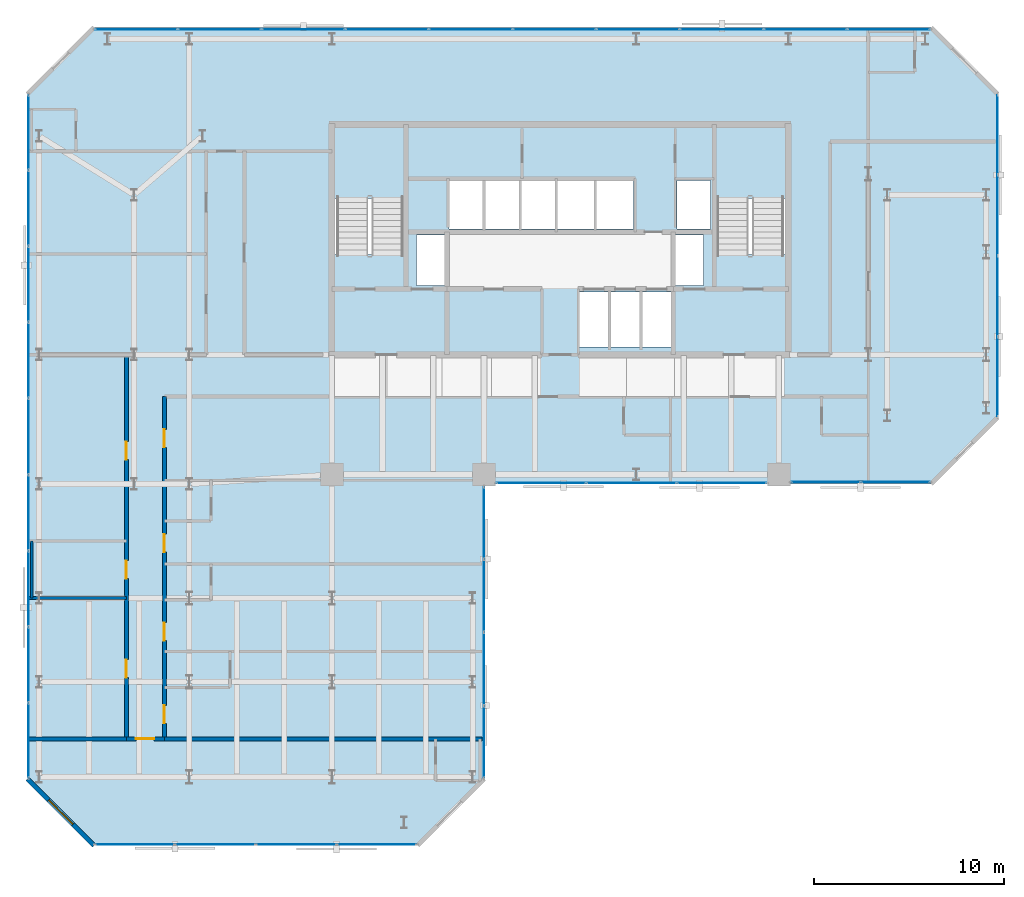
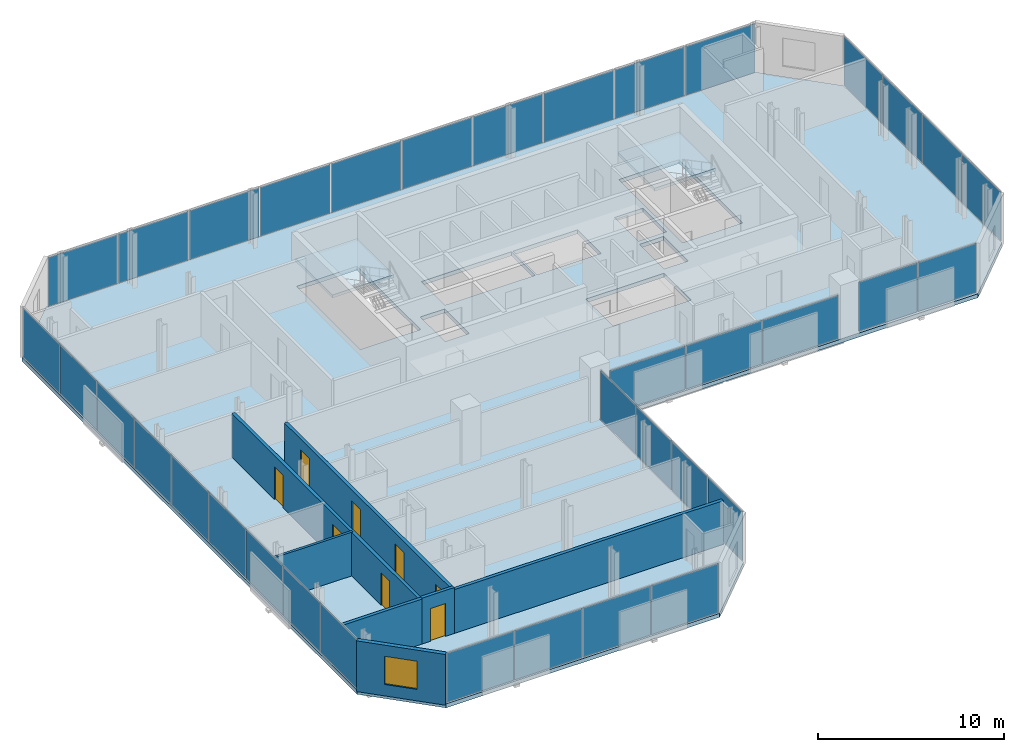
# One storey, part 27 of 32: 36 plates, 8 doors, 8 walls, 3 slabs, 1 window, 9 openings, 9 elements without a shape of their own.
"""IFC4 building model written with IfcOpenShell, lengths in metres."""

from ifc_helpers import new_model, si_unit, direction, frame, frame_2d, origin, origin_2d, place, context, subcontext, project, spatial, polyline, rectangle, outline, extrude, material, layer, layer_set, type_object, element, fill, aggregate, save


model = new_model("IFC4")

# Units and contexts
model_context = context("Model", 3, precision=1e-05, world=origin(), true_north=direction((0.0, 1.0)))
body_context = subcontext(model_context, "Body", "Model", "MODEL_VIEW")
ifc_project = project(units=[si_unit("LENGTHUNIT", "METRE"), si_unit("AREAUNIT", "SQUARE_METRE"), si_unit("VOLUMEUNIT", "CUBIC_METRE"), si_unit("PLANEANGLEUNIT", "RADIAN"), si_unit("MASSUNIT", "GRAM", prefix="KILO")], contexts=[model_context])

# Site, building, storey
site_placement = place(None, origin())
site = spatial("IfcSite", under=ifc_project, at=site_placement, CompositionType="ELEMENT")
building_placement = place(site_placement, origin())
building = spatial("IfcBuilding", under=site, at=building_placement, Name="Catumbela Crestline Tower", CompositionType="ELEMENT")
storey_placement = place(building_placement, frame((0.0, 0.0, 129.6)))
storey = spatial("IfcBuildingStorey", under=building, at=storey_placement, Name="L33", CompositionType="ELEMENT", Elevation=129.6)

# Curtain wall, plates
ifc_material_1 = material(Name="Aluminium alloy AW-6060-T66", Category="aluminium")
ifc_layer_1 = layer(ifc_material_1, 0.18, Name="Aluminium alloy AW-6060-T66")
ifc_layer_set_1 = layer_set([ifc_layer_1], Name="Aluminium alloy AW-6060-T66")
curtain_wall_type = type_object("IfcCurtainWallType", Name="CWU-Z2", PredefinedType="USERDEFINED", material=ifc_layer_set_1)
curtain_wall_1_placement = place(storey_placement, origin())
curtain_wall_1 = element("IfcCurtainWall", 1, at=curtain_wall_1_placement, inside=storey, type_object=curtain_wall_type, Name="L33 Unitised Curtain Wall CW-L33-E0S1", ObjectType="UNITISED", PredefinedType="USERDEFINED")
ifc_material_2 = material(Name="Low-E laminated solar-control double glazing", Category="glass")
ifc_layer_2 = layer(ifc_material_2, 0.036, Name="Low-E laminated solar-control double glazing")
ifc_layer_set_2 = layer_set([ifc_layer_2], Name="Low-E laminated solar-control double glazing")
plate_type = type_object("IfcPlateType", Name="PNL-GLZ-Z2", PredefinedType="CURTAIN_PANEL", material=ifc_layer_set_2)
plate_1_placement = place(storey_placement, frame((5.6412, 5.05, 0.06), z_axis=(0.0, 0.0, 1.0), x_axis=(1.0, 0.0, 0.0)))
plate_1 = element("IfcPlate", 2, at=plate_1_placement, type_object=plate_type, Name="CWU-Z2 panel 1.1", PredefinedType="CURTAIN_PANEL", context=body_context, shape_type="SweptSolid", body=[
    extrude(rectangle(XDim=4.1525, YDim=0.034, at=origin_2d()), origin(), (0.0, 0.0, 1.0), 3.21),
])
plate_2_placement = place(storey_placement, frame((9.875, 5.05, 0.06), z_axis=(0.0, 0.0, 1.0), x_axis=(1.0, 0.0, 0.0)))
plate_2 = element("IfcPlate", 3, at=plate_2_placement, type_object=plate_type, Name="CWU-Z2 panel 2.1", PredefinedType="CURTAIN_PANEL", context=body_context, shape_type="SweptSolid", body=[
    extrude(rectangle(XDim=4.185, YDim=0.034, at=origin_2d()), origin(), (0.0, 0.0, 1.0), 3.21),
])
plate_3_placement = place(storey_placement, frame((14.125, 5.05, 0.06), z_axis=(0.0, 0.0, 1.0), x_axis=(1.0, 0.0, 0.0)))
plate_3 = element("IfcPlate", 4, at=plate_3_placement, type_object=plate_type, Name="CWU-Z2 panel 3.1", PredefinedType="CURTAIN_PANEL", context=body_context, shape_type="SweptSolid", body=[
    extrude(rectangle(XDim=4.185, YDim=0.034, at=origin_2d()), origin(), (0.0, 0.0, 1.0), 3.21),
])
plate_4_placement = place(storey_placement, frame((18.3588, 5.05, 0.06), z_axis=(0.0, 0.0, 1.0), x_axis=(1.0, 0.0, 0.0)))
plate_4 = element("IfcPlate", 5, at=plate_4_placement, type_object=plate_type, Name="CWU-Z2 panel 4.1", PredefinedType="CURTAIN_PANEL", context=body_context, shape_type="SweptSolid", body=[
    extrude(rectangle(XDim=4.1525, YDim=0.034, at=origin_2d()), origin(), (0.0, 0.0, 1.0), 3.21),
])
aggregate(curtain_wall_1, [plate_1, plate_2, plate_3, plate_4])

curtain_wall_2_placement = place(storey_placement, origin())
curtain_wall_2 = element("IfcCurtainWall", 6, at=curtain_wall_2_placement, inside=storey, type_object=curtain_wall_type, Name="L33 Unitised Curtain Wall CW-L33-E2S1", ObjectType="UNITISED", PredefinedType="USERDEFINED")
plate_5_placement = place(storey_placement, frame((24.0, 10.4412, 0.06), z_axis=(0.0, 0.0, 1.0), x_axis=(0.0, 1.0, 0.0)))
plate_5 = element("IfcPlate", 7, at=plate_5_placement, type_object=plate_type, Name="CWU-Z2 panel 1.1", PredefinedType="CURTAIN_PANEL", context=body_context, shape_type="SweptSolid", body=[
    extrude(rectangle(XDim=3.7525, YDim=0.034, at=origin_2d()), origin(), (0.0, 0.0, 1.0), 3.21),
])
plate_6_placement = place(storey_placement, frame((24.0, 14.275, 0.06), z_axis=(0.0, 0.0, 1.0), x_axis=(0.0, 1.0, 0.0)))
plate_6 = element("IfcPlate", 8, at=plate_6_placement, type_object=plate_type, Name="CWU-Z2 panel 2.1", PredefinedType="CURTAIN_PANEL", context=body_context, shape_type="SweptSolid", body=[
    extrude(rectangle(XDim=3.785, YDim=0.034, at=origin_2d()), origin(), (0.0, 0.0, 1.0), 3.21),
])
plate_7_placement = place(storey_placement, frame((24.0, 18.125, 0.06), z_axis=(0.0, 0.0, 1.0), x_axis=(0.0, 1.0, 0.0)))
plate_7 = element("IfcPlate", 9, at=plate_7_placement, type_object=plate_type, Name="CWU-Z2 panel 3.1", PredefinedType="CURTAIN_PANEL", context=body_context, shape_type="SweptSolid", body=[
    extrude(rectangle(XDim=3.785, YDim=0.034, at=origin_2d()), origin(), (0.0, 0.0, 1.0), 3.21),
])
plate_8_placement = place(storey_placement, frame((24.0, 21.9587, 0.06), z_axis=(0.0, 0.0, 1.0), x_axis=(0.0, 1.0, 0.0)))
plate_8 = element("IfcPlate", 10, at=plate_8_placement, type_object=plate_type, Name="CWU-Z2 panel 4.1", PredefinedType="CURTAIN_PANEL", context=body_context, shape_type="SweptSolid", body=[
    extrude(rectangle(XDim=3.7525, YDim=0.034, at=origin_2d()), origin(), (0.0, 0.0, 1.0), 3.21),
])
aggregate(curtain_wall_2, [plate_5, plate_6, plate_7, plate_8])

curtain_wall_3_placement = place(storey_placement, origin())
curtain_wall_3 = element("IfcCurtainWall", 11, at=curtain_wall_3_placement, inside=storey, type_object=curtain_wall_type, Name="L33 Unitised Curtain Wall CW-L33-E3S1", ObjectType="UNITISED", PredefinedType="USERDEFINED")
plate_9_placement = place(storey_placement, frame((26.9996, 24.05, 0.06), z_axis=(0.0, 0.0, 1.0), x_axis=(1.0, 0.0, 0.0)))
plate_9 = element("IfcPlate", 12, at=plate_9_placement, type_object=plate_type, Name="CWU-Z2 panel 1.1", PredefinedType="CURTAIN_PANEL", context=body_context, shape_type="SweptSolid", body=[
    extrude(rectangle(XDim=4.6692, YDim=0.034, at=origin_2d()), origin(), (0.0, 0.0, 1.0), 2.84),
])
plate_10_placement = place(storey_placement, frame((31.75, 24.05, 0.06), z_axis=(0.0, 0.0, 1.0), x_axis=(1.0, 0.0, 0.0)))
plate_10 = element("IfcPlate", 13, at=plate_10_placement, type_object=plate_type, Name="CWU-Z2 panel 2.1", PredefinedType="CURTAIN_PANEL", context=body_context, shape_type="SweptSolid", body=[
    extrude(rectangle(XDim=4.7017, YDim=0.034, at=origin_2d()), origin(), (0.0, 0.0, 1.0), 2.84),
])
plate_11_placement = place(storey_placement, frame((36.5004, 24.05, 0.06), z_axis=(0.0, 0.0, 1.0), x_axis=(1.0, 0.0, 0.0)))
plate_11 = element("IfcPlate", 14, at=plate_11_placement, type_object=plate_type, Name="CWU-Z2 panel 3.1", PredefinedType="CURTAIN_PANEL", context=body_context, shape_type="SweptSolid", body=[
    extrude(rectangle(XDim=4.6692, YDim=0.034, at=origin_2d()), origin(), (0.0, 0.0, 1.0), 2.84),
])
aggregate(curtain_wall_3, [plate_9, plate_10, plate_11])

curtain_wall_4_placement = place(storey_placement, origin())
curtain_wall_4 = element("IfcCurtainWall", 15, at=curtain_wall_4_placement, inside=storey, type_object=curtain_wall_type, Name="L33 Unitised Curtain Wall CW-L33-E3S2", ObjectType="UNITISED", PredefinedType="USERDEFINED")
plate_12_placement = place(storey_placement, frame((41.9662, 24.1, 0.06), z_axis=(0.0, 0.0, 1.0), x_axis=(1.0, 0.0, 0.0)))
plate_12 = element("IfcPlate", 16, at=plate_12_placement, type_object=plate_type, Name="CWU-Z2 panel 1.1", PredefinedType="CURTAIN_PANEL", context=body_context, shape_type="SweptSolid", body=[
    extrude(rectangle(XDim=3.6025, YDim=0.034, at=origin_2d()), origin(), (0.0, 0.0, 1.0), 3.21),
])
plate_13_placement = place(storey_placement, frame((45.6338, 24.1, 0.06), z_axis=(0.0, 0.0, 1.0), x_axis=(1.0, 0.0, 0.0)))
plate_13 = element("IfcPlate", 17, at=plate_13_placement, type_object=plate_type, Name="CWU-Z2 panel 2.1", PredefinedType="CURTAIN_PANEL", context=body_context, shape_type="SweptSolid", body=[
    extrude(rectangle(XDim=3.6025, YDim=0.034, at=origin_2d()), origin(), (0.0, 0.0, 1.0), 3.21),
])
aggregate(curtain_wall_4, [plate_12, plate_13])

curtain_wall_5_placement = place(storey_placement, origin())
curtain_wall_5 = element("IfcCurtainWall", 18, at=curtain_wall_5_placement, inside=storey, type_object=curtain_wall_type, Name="L33 Unitised Curtain Wall CW-L33-E5S1", ObjectType="UNITISED", PredefinedType="USERDEFINED")
plate_14_placement = place(storey_placement, frame((51.0, 29.6412, 0.06), z_axis=(0.0, 0.0, 1.0), x_axis=(0.0, 1.0, 0.0)))
plate_14 = element("IfcPlate", 19, at=plate_14_placement, type_object=plate_type, Name="CWU-Z2 panel 1.1", PredefinedType="CURTAIN_PANEL", context=body_context, shape_type="SweptSolid", body=[
    extrude(rectangle(XDim=4.1525, YDim=0.034, at=origin_2d()), origin(), (0.0, 0.0, 1.0), 3.21),
])
plate_15_placement = place(storey_placement, frame((51.0, 33.875, 0.06), z_axis=(0.0, 0.0, 1.0), x_axis=(0.0, 1.0, 0.0)))
plate_15 = element("IfcPlate", 20, at=plate_15_placement, type_object=plate_type, Name="CWU-Z2 panel 2.1", PredefinedType="CURTAIN_PANEL", context=body_context, shape_type="SweptSolid", body=[
    extrude(rectangle(XDim=4.185, YDim=0.034, at=origin_2d()), origin(), (0.0, 0.0, 1.0), 3.21),
])
plate_16_placement = place(storey_placement, frame((51.0, 38.125, 0.06), z_axis=(0.0, 0.0, 1.0), x_axis=(0.0, 1.0, 0.0)))
plate_16 = element("IfcPlate", 21, at=plate_16_placement, type_object=plate_type, Name="CWU-Z2 panel 3.1", PredefinedType="CURTAIN_PANEL", context=body_context, shape_type="SweptSolid", body=[
    extrude(rectangle(XDim=4.185, YDim=0.034, at=origin_2d()), origin(), (0.0, 0.0, 1.0), 3.21),
])
plate_17_placement = place(storey_placement, frame((51.0, 42.3588, 0.06), z_axis=(0.0, 0.0, 1.0), x_axis=(0.0, 1.0, 0.0)))
plate_17 = element("IfcPlate", 22, at=plate_17_placement, type_object=plate_type, Name="CWU-Z2 panel 4.1", PredefinedType="CURTAIN_PANEL", context=body_context, shape_type="SweptSolid", body=[
    extrude(rectangle(XDim=4.1525, YDim=0.034, at=origin_2d()), origin(), (0.0, 0.0, 1.0), 3.21),
])
aggregate(curtain_wall_5, [plate_14, plate_15, plate_16, plate_17])

curtain_wall_6_placement = place(storey_placement, origin())
curtain_wall_6 = element("IfcCurtainWall", 23, at=curtain_wall_6_placement, inside=storey, type_object=curtain_wall_type, Name="L33 Unitised Curtain Wall CW-L33-E7S1", ObjectType="UNITISED", PredefinedType="USERDEFINED")
plate_18_placement = place(storey_placement, frame((45.2838, 47.9, 0.06), z_axis=(0.0, 0.0, 1.0), x_axis=(-1.0, 0.0, 0.0)))
plate_18 = element("IfcPlate", 24, at=plate_18_placement, type_object=plate_type, Name="CWU-Z2 panel 1.1", PredefinedType="CURTAIN_PANEL", context=body_context, shape_type="SweptSolid", body=[
    extrude(rectangle(XDim=4.3025, YDim=0.034, at=origin_2d()), origin(), (0.0, 0.0, 1.0), 3.21),
])
plate_19_placement = place(storey_placement, frame((40.9, 47.9, 0.06), z_axis=(0.0, 0.0, 1.0), x_axis=(-1.0, 0.0, 0.0)))
plate_19 = element("IfcPlate", 25, at=plate_19_placement, type_object=plate_type, Name="CWU-Z2 panel 2.1", PredefinedType="CURTAIN_PANEL", context=body_context, shape_type="SweptSolid", body=[
    extrude(rectangle(XDim=4.335, YDim=0.034, at=origin_2d()), origin(), (0.0, 0.0, 1.0), 3.21),
])
plate_20_placement = place(storey_placement, frame((36.5, 47.9, 0.06), z_axis=(0.0, 0.0, 1.0), x_axis=(-1.0, 0.0, 0.0)))
plate_20 = element("IfcPlate", 26, at=plate_20_placement, type_object=plate_type, Name="CWU-Z2 panel 3.1", PredefinedType="CURTAIN_PANEL", context=body_context, shape_type="SweptSolid", body=[
    extrude(rectangle(XDim=4.335, YDim=0.034, at=origin_2d()), origin(), (0.0, 0.0, 1.0), 3.21),
])
plate_21_placement = place(storey_placement, frame((32.1, 47.9, 0.06), z_axis=(0.0, 0.0, 1.0), x_axis=(-1.0, 0.0, 0.0)))
plate_21 = element("IfcPlate", 27, at=plate_21_placement, type_object=plate_type, Name="CWU-Z2 panel 4.1", PredefinedType="CURTAIN_PANEL", context=body_context, shape_type="SweptSolid", body=[
    extrude(rectangle(XDim=4.335, YDim=0.034, at=origin_2d()), origin(), (0.0, 0.0, 1.0), 3.21),
])
plate_22_placement = place(storey_placement, frame((27.7, 47.9, 0.06), z_axis=(0.0, 0.0, 1.0), x_axis=(-1.0, 0.0, 0.0)))
plate_22 = element("IfcPlate", 28, at=plate_22_placement, type_object=plate_type, Name="CWU-Z2 panel 5.1", PredefinedType="CURTAIN_PANEL", context=body_context, shape_type="SweptSolid", body=[
    extrude(rectangle(XDim=4.335, YDim=0.034, at=origin_2d()), origin(), (0.0, 0.0, 1.0), 3.21),
])
plate_23_placement = place(storey_placement, frame((23.3, 47.9, 0.06), z_axis=(0.0, 0.0, 1.0), x_axis=(-1.0, 0.0, 0.0)))
plate_23 = element("IfcPlate", 29, at=plate_23_placement, type_object=plate_type, Name="CWU-Z2 panel 6.1", PredefinedType="CURTAIN_PANEL", context=body_context, shape_type="SweptSolid", body=[
    extrude(rectangle(XDim=4.335, YDim=0.034, at=origin_2d()), origin(), (0.0, 0.0, 1.0), 3.21),
])
plate_24_placement = place(storey_placement, frame((18.9, 47.9, 0.06), z_axis=(0.0, 0.0, 1.0), x_axis=(-1.0, 0.0, 0.0)))
plate_24 = element("IfcPlate", 30, at=plate_24_placement, type_object=plate_type, Name="CWU-Z2 panel 7.1", PredefinedType="CURTAIN_PANEL", context=body_context, shape_type="SweptSolid", body=[
    extrude(rectangle(XDim=4.335, YDim=0.034, at=origin_2d()), origin(), (0.0, 0.0, 1.0), 3.21),
])
plate_25_placement = place(storey_placement, frame((14.5, 47.9, 0.06), z_axis=(0.0, 0.0, 1.0), x_axis=(-1.0, 0.0, 0.0)))
plate_25 = element("IfcPlate", 31, at=plate_25_placement, type_object=plate_type, Name="CWU-Z2 panel 8.1", PredefinedType="CURTAIN_PANEL", context=body_context, shape_type="SweptSolid", body=[
    extrude(rectangle(XDim=4.335, YDim=0.034, at=origin_2d()), origin(), (0.0, 0.0, 1.0), 3.21),
])
plate_26_placement = place(storey_placement, frame((10.1, 47.9, 0.06), z_axis=(0.0, 0.0, 1.0), x_axis=(-1.0, 0.0, 0.0)))
plate_26 = element("IfcPlate", 32, at=plate_26_placement, type_object=plate_type, Name="CWU-Z2 panel 9.1", PredefinedType="CURTAIN_PANEL", context=body_context, shape_type="SweptSolid", body=[
    extrude(rectangle(XDim=4.335, YDim=0.034, at=origin_2d()), origin(), (0.0, 0.0, 1.0), 3.21),
])
plate_27_placement = place(storey_placement, frame((5.7162, 47.9, 0.06), z_axis=(0.0, 0.0, 1.0), x_axis=(-1.0, 0.0, 0.0)))
plate_27 = element("IfcPlate", 33, at=plate_27_placement, type_object=plate_type, Name="CWU-Z2 panel 10.1", PredefinedType="CURTAIN_PANEL", context=body_context, shape_type="SweptSolid", body=[
    extrude(rectangle(XDim=4.3025, YDim=0.034, at=origin_2d()), origin(), (0.0, 0.0, 1.0), 3.21),
])
aggregate(curtain_wall_6, [plate_18, plate_19, plate_20, plate_21, plate_22, plate_23, plate_24, plate_25, plate_26, plate_27])

curtain_wall_7_placement = place(storey_placement, origin())
curtain_wall_7 = element("IfcCurtainWall", 34, at=curtain_wall_7_placement, inside=storey, type_object=curtain_wall_type, Name="L33 Unitised Curtain Wall CW-L33-E9S1", ObjectType="UNITISED", PredefinedType="USERDEFINED")
plate_28_placement = place(storey_placement, frame((0.05, 42.4838, 0.06), z_axis=(0.0, 0.0, 1.0), x_axis=(0.0, -1.0, 0.0)))
plate_28 = element("IfcPlate", 35, at=plate_28_placement, type_object=plate_type, Name="CWU-Z2 panel 1.1", PredefinedType="CURTAIN_PANEL", context=body_context, shape_type="SweptSolid", body=[
    extrude(rectangle(XDim=3.9025, YDim=0.034, at=origin_2d()), origin(), (0.0, 0.0, 1.0), 3.21),
])
plate_29_placement = place(storey_placement, frame((0.05, 38.5, 0.06), z_axis=(0.0, 0.0, 1.0), x_axis=(0.0, -1.0, 0.0)))
plate_29 = element("IfcPlate", 36, at=plate_29_placement, type_object=plate_type, Name="CWU-Z2 panel 2.1", PredefinedType="CURTAIN_PANEL", context=body_context, shape_type="SweptSolid", body=[
    extrude(rectangle(XDim=3.935, YDim=0.034, at=origin_2d()), origin(), (0.0, 0.0, 1.0), 3.21),
])
plate_30_placement = place(storey_placement, frame((0.05, 34.5, 0.06), z_axis=(0.0, 0.0, 1.0), x_axis=(0.0, -1.0, 0.0)))
plate_30 = element("IfcPlate", 37, at=plate_30_placement, type_object=plate_type, Name="CWU-Z2 panel 3.1", PredefinedType="CURTAIN_PANEL", context=body_context, shape_type="SweptSolid", body=[
    extrude(rectangle(XDim=3.935, YDim=0.034, at=origin_2d()), origin(), (0.0, 0.0, 1.0), 3.21),
])
plate_31_placement = place(storey_placement, frame((0.05, 30.5, 0.06), z_axis=(0.0, 0.0, 1.0), x_axis=(0.0, -1.0, 0.0)))
plate_31 = element("IfcPlate", 38, at=plate_31_placement, type_object=plate_type, Name="CWU-Z2 panel 4.1", PredefinedType="CURTAIN_PANEL", context=body_context, shape_type="SweptSolid", body=[
    extrude(rectangle(XDim=3.935, YDim=0.034, at=origin_2d()), origin(), (0.0, 0.0, 1.0), 3.21),
])
plate_32_placement = place(storey_placement, frame((0.05, 26.5, 0.06), z_axis=(0.0, 0.0, 1.0), x_axis=(0.0, -1.0, 0.0)))
plate_32 = element("IfcPlate", 39, at=plate_32_placement, type_object=plate_type, Name="CWU-Z2 panel 5.1", PredefinedType="CURTAIN_PANEL", context=body_context, shape_type="SweptSolid", body=[
    extrude(rectangle(XDim=3.935, YDim=0.034, at=origin_2d()), origin(), (0.0, 0.0, 1.0), 3.21),
])
plate_33_placement = place(storey_placement, frame((0.05, 22.5, 0.06), z_axis=(0.0, 0.0, 1.0), x_axis=(0.0, -1.0, 0.0)))
plate_33 = element("IfcPlate", 40, at=plate_33_placement, type_object=plate_type, Name="CWU-Z2 panel 6.1", PredefinedType="CURTAIN_PANEL", context=body_context, shape_type="SweptSolid", body=[
    extrude(rectangle(XDim=3.935, YDim=0.034, at=origin_2d()), origin(), (0.0, 0.0, 1.0), 3.21),
])
plate_34_placement = place(storey_placement, frame((0.05, 18.5, 0.06), z_axis=(0.0, 0.0, 1.0), x_axis=(0.0, -1.0, 0.0)))
plate_34 = element("IfcPlate", 41, at=plate_34_placement, type_object=plate_type, Name="CWU-Z2 panel 7.1", PredefinedType="CURTAIN_PANEL", context=body_context, shape_type="SweptSolid", body=[
    extrude(rectangle(XDim=3.935, YDim=0.034, at=origin_2d()), origin(), (0.0, 0.0, 1.0), 3.21),
])
plate_35_placement = place(storey_placement, frame((0.05, 14.5, 0.06), z_axis=(0.0, 0.0, 1.0), x_axis=(0.0, -1.0, 0.0)))
plate_35 = element("IfcPlate", 42, at=plate_35_placement, type_object=plate_type, Name="CWU-Z2 panel 8.1", PredefinedType="CURTAIN_PANEL", context=body_context, shape_type="SweptSolid", body=[
    extrude(rectangle(XDim=3.935, YDim=0.034, at=origin_2d()), origin(), (0.0, 0.0, 1.0), 3.21),
])
plate_36_placement = place(storey_placement, frame((0.05, 10.5162, 0.06), z_axis=(0.0, 0.0, 1.0), x_axis=(0.0, -1.0, 0.0)))
plate_36 = element("IfcPlate", 43, at=plate_36_placement, type_object=plate_type, Name="CWU-Z2 panel 9.1", PredefinedType="CURTAIN_PANEL", context=body_context, shape_type="SweptSolid", body=[
    extrude(rectangle(XDim=3.9025, YDim=0.034, at=origin_2d()), origin(), (0.0, 0.0, 1.0), 3.21),
])
aggregate(curtain_wall_7, [plate_28, plate_29, plate_30, plate_31, plate_32, plate_33, plate_34, plate_35, plate_36])

# Stair, slab
ifc_material_3 = material(Name="Concrete C45/55", Category="concrete")
stair_type = type_object("IfcStairType", Name="ST-DLG", PredefinedType="HALF_TURN_STAIR", material=ifc_material_3)
stair_1_placement = place(storey_placement, origin())
stair_1 = element("IfcStair", 44, at=stair_1_placement, inside=storey, type_object=stair_type, Name="L33 West Core Pressurised Exit Stair ST-01", PredefinedType="HALF_TURN_STAIR")
ifc_layer_3 = layer(ifc_material_3, 0.2, Name="Concrete C45/55")
ifc_layer_set_3 = layer_set([ifc_layer_3], Name="Concrete C45/55")
slab_type_1 = type_object("IfcSlabType", Name="SL-LND", PredefinedType="LANDING", material=ifc_layer_set_3)
slab_1_placement = place(storey_placement, frame((0.0, 0.0, 1.6)))
slab_1 = element("IfcSlab", 45, at=slab_1_placement, type_object=slab_type_1, Name="ST-01 landing 1", PredefinedType="LANDING", context=body_context, shape_type="SweptSolid", body=[
    extrude(outline(polyline([(19.91, 39.02), (19.91, 42.96), (16.09, 42.96), (16.09, 39.02), (19.91, 39.02)])), origin(), (0.0, 0.0, 1.0), 0.2),
])
aggregate(stair_1, [slab_1])

stair_2_placement = place(storey_placement, origin())
stair_2 = element("IfcStair", 46, at=stair_2_placement, inside=storey, type_object=stair_type, Name="L33 East Core Pressurised Exit Stair ST-02", PredefinedType="HALF_TURN_STAIR")
slab_2_placement = place(storey_placement, frame((0.0, 0.0, 1.6)))
slab_2 = element("IfcSlab", 47, at=slab_2_placement, type_object=slab_type_1, Name="ST-02 landing 1", PredefinedType="LANDING", context=body_context, shape_type="SweptSolid", body=[
    extrude(outline(polyline([(39.91, 39.02), (39.91, 42.96), (36.09, 42.96), (36.09, 39.02), (39.91, 39.02)])), origin(), (0.0, 0.0, 1.0), 0.2),
])
aggregate(stair_2, [slab_2])

# Slab
ifc_layer_4 = layer(ifc_material_3, 0.26, Name="Concrete C45/55")
ifc_layer_set_4 = layer_set([ifc_layer_4], Name="Concrete C45/55")
slab_type_2 = type_object("IfcSlabType", Name="SL-260", PredefinedType="FLOOR", material=ifc_layer_set_4)
slab_3_placement = place(storey_placement, frame((0.0, 0.0, -0.26)))
element("IfcSlab", 48, at=slab_3_placement, inside=storey, type_object=slab_type_2, Name="L33 Structural Floor Slab", PredefinedType="FLOOR", context=body_context, shape_type="SweptSolid", body=[
    extrude(outline(polyline([(3.5, 5.0), (20.5, 5.0), (24.0, 8.5), (24.0, 24.0), (47.5, 24.0), (51.0, 27.5), (51.0, 44.5), (47.5, 48.0), (3.5, 48.0), (0.0, 44.5), (0.0, 8.5), (3.5, 5.0)]), holes=[polyline([(16.13, 36.08), (19.87, 36.08), (19.87, 42.92), (16.13, 42.92), (16.13, 36.08)]), polyline([(36.13, 36.08), (39.87, 36.08), (39.87, 42.92), (36.13, 42.92), (36.13, 36.08)]), polyline([(29.0, 31.2), (33.85, 31.2), (33.85, 34.1), (29.0, 34.1), (29.0, 31.2)]), polyline([(22.15, 37.4), (27.75, 37.4), (27.75, 39.95), (22.15, 39.95), (22.15, 37.4)]), polyline([(27.85, 37.4), (31.85, 37.4), (31.85, 39.95), (27.85, 39.95), (27.85, 37.4)]), polyline([(20.45, 34.45), (21.95, 34.45), (21.95, 37.1), (20.45, 37.1), (20.45, 34.45)]), polyline([(34.05, 34.45), (35.55, 34.45), (35.55, 37.1), (34.05, 37.1), (34.05, 34.45)]), polyline([(34.15, 37.4), (35.9, 37.4), (35.9, 39.95), (34.15, 39.95), (34.15, 37.4)])]), origin(), (0.0, 0.0, 1.0), 0.26),
])

# Wall, openings, doors
ifc_material_4 = material(Name="Acoustic gypsum and mineral-wool partition")
ifc_layer_5 = layer(ifc_material_4, 0.2, Name="Acoustic gypsum and mineral-wool partition")
ifc_layer_set_5 = layer_set([ifc_layer_5], Name="Acoustic gypsum and mineral-wool partition")
wall_type_1 = type_object("IfcWallType", Name="WC-200", PredefinedType="PARTITIONING", material=ifc_layer_set_5)
wall_1_placement = place(storey_placement, frame((5.2, 10.6, 0.0), z_axis=(0.0, 0.0, 1.0), x_axis=(0.0, 1.0, 0.0)))
wall_1 = element("IfcWall", 49, at=wall_1_placement, inside=storey, type_object=wall_type_1, Name="L33 Interior Partition PW-L33-STWC-ENT", PredefinedType="PARTITIONING", context=body_context, shape_type="SweptSolid", body=[
    extrude(rectangle(XDim=20.2, YDim=0.2, at=frame_2d((10.1, 0.0))), origin(), (0.0, 0.0, 1.0), 2.87),
])
opening_1_placement = place(wall_1_placement, frame((8.425, 0.0, 0.0)))
opening_1 = element("IfcOpeningElement", 50, at=opening_1_placement, cuts=wall_1, Name="Opening DF6-095", PredefinedType="OPENING", context=body_context, shape_type="SweptSolid", body=[
    extrude(rectangle(XDim=0.95, YDim=2.15, at=frame_2d((0.475, 1.075))), frame((0.0, 0.11, 0.0), z_axis=(0.0, -1.0, 0.0), x_axis=(1.0, 0.0, 0.0)), (0.0, 0.0, 1.0), 0.22),
])
opening_2_placement = place(wall_1_placement, frame((14.6795, 0.0, 0.0)))
opening_2 = element("IfcOpeningElement", 51, at=opening_2_placement, cuts=wall_1, Name="Opening DF6-095", PredefinedType="OPENING", context=body_context, shape_type="SweptSolid", body=[
    extrude(rectangle(XDim=0.95, YDim=2.15, at=frame_2d((0.475, 1.075))), frame((0.0, 0.11, 0.0), z_axis=(0.0, -1.0, 0.0), x_axis=(1.0, 0.0, 0.0)), (0.0, 0.0, 1.0), 0.22),
])
opening_3_placement = place(wall_1_placement, frame((3.225, 0.0, 0.0)))
opening_3 = element("IfcOpeningElement", 52, at=opening_3_placement, cuts=wall_1, Name="Opening DF6-095", PredefinedType="OPENING", context=body_context, shape_type="SweptSolid", body=[
    extrude(rectangle(XDim=0.95, YDim=2.15, at=frame_2d((0.475, 1.075))), frame((0.0, 0.11, 0.0), z_axis=(0.0, -1.0, 0.0), x_axis=(1.0, 0.0, 0.0)), (0.0, 0.0, 1.0), 0.22),
])
door_type = type_object("IfcDoorType", Name="DF6-095", OperationType="NOTDEFINED", PredefinedType="DOOR", material=ifc_material_1)
door_1_placement = place(opening_1_placement, origin())
door_1 = element("IfcDoor", 53, at=door_1_placement, inside=storey, type_object=door_type, Name="L33 Interior Door DR-L33-STWC-ENT", OperationType="SINGLE_SWING_RIGHT", OverallHeight=2.15, OverallWidth=0.95, PredefinedType="DOOR", context=body_context, shape_type="SweptSolid", body=[
    extrude(rectangle(XDim=0.95, YDim=2.15, at=frame_2d((0.475, 1.075))), frame((0.0, 0.025, 0.0), z_axis=(0.0, -1.0, 0.0), x_axis=(1.0, 0.0, 0.0)), (0.0, 0.0, 1.0), 0.05),
])
fill(opening_1, door_1)
door_2_placement = place(opening_2_placement, origin())
door_2 = element("IfcDoor", 54, at=door_2_placement, inside=storey, type_object=door_type, Name="L33 Interior Door DR-L33-HKP-ENT", OperationType="SINGLE_SWING_RIGHT", OverallHeight=2.15, OverallWidth=0.95, PredefinedType="DOOR", context=body_context, shape_type="SweptSolid", body=[
    extrude(rectangle(XDim=0.95, YDim=2.15, at=frame_2d((0.475, 1.075))), frame((0.0, 0.025, 0.0), z_axis=(0.0, -1.0, 0.0), x_axis=(1.0, 0.0, 0.0)), (0.0, 0.0, 1.0), 0.05),
])
fill(opening_2, door_2)
door_3_placement = place(opening_3_placement, origin())
door_3 = element("IfcDoor", 55, at=door_3_placement, inside=storey, type_object=door_type, Name="L33 Interior Door DR-L33-WEXT-ENT", OperationType="SINGLE_SWING_LEFT", OverallHeight=2.15, OverallWidth=0.95, PredefinedType="DOOR", context=body_context, shape_type="SweptSolid", body=[
    extrude(rectangle(XDim=0.95, YDim=2.15, at=frame_2d((0.475, 1.075))), frame((0.0, 0.025, 0.0), z_axis=(0.0, -1.0, 0.0), x_axis=(1.0, 0.0, 0.0)), (0.0, 0.0, 1.0), 0.05),
])
fill(opening_3, door_3)

# Wall, opening, door
wall_2_placement = place(storey_placement, frame((5.2, 10.6, 0.0), z_axis=(0.0, 0.0, 1.0), x_axis=(1.0, 0.0, 0.0)))
wall_2 = element("IfcWall", 56, at=wall_2_placement, inside=storey, type_object=wall_type_1, Name="L33 Interior Partition PW-L33-STIP-ENT", PredefinedType="PARTITIONING", context=body_context, shape_type="SweptSolid", body=[
    extrude(rectangle(XDim=2.0, YDim=0.2, at=frame_2d((1.0, 0.0))), origin(), (0.0, 0.0, 1.0), 3.01),
])
opening_4_placement = place(wall_2_placement, frame((0.5025, 0.0, 0.0)))
opening_4 = element("IfcOpeningElement", 57, at=opening_4_placement, cuts=wall_2, Name="Opening DF6-095", PredefinedType="OPENING", context=body_context, shape_type="SweptSolid", body=[
    extrude(rectangle(XDim=0.95, YDim=2.15, at=frame_2d((0.475, 1.075))), frame((0.0, 0.11, 0.0), z_axis=(0.0, -1.0, 0.0), x_axis=(1.0, 0.0, 0.0)), (0.0, 0.0, 1.0), 0.22),
])
door_4_placement = place(opening_4_placement, origin())
door_4 = element("IfcDoor", 58, at=door_4_placement, inside=storey, type_object=door_type, Name="L33 Interior Door DR-L33-STIP-ENT", OperationType="SINGLE_SWING_LEFT", OverallHeight=2.15, OverallWidth=0.95, PredefinedType="DOOR", context=body_context, shape_type="SweptSolid", body=[
    extrude(rectangle(XDim=0.95, YDim=2.15, at=frame_2d((0.475, 1.075))), frame((0.0, 0.025, 0.0), z_axis=(0.0, -1.0, 0.0), x_axis=(1.0, 0.0, 0.0)), (0.0, 0.0, 1.0), 0.05),
])
fill(opening_4, door_4)

# Wall, openings, doors
wall_3_placement = place(storey_placement, frame((7.2, 10.6, 0.0), z_axis=(0.0, 0.0, 1.0), x_axis=(0.0, 1.0, 0.0)))
wall_3 = element("IfcWall", 59, at=wall_3_placement, inside=storey, type_object=wall_type_1, Name="L33 Interior Partition PW-L33-SW1-ENT", PredefinedType="PARTITIONING", context=body_context, shape_type="SweptSolid", body=[
    extrude(rectangle(XDim=18.0, YDim=0.2, at=frame_2d((9.0, 0.0))), origin(), (0.0, 0.0, 1.0), 2.87),
])
opening_5_placement = place(wall_3_placement, frame((0.8175, 0.0, 0.0)))
opening_5 = element("IfcOpeningElement", 60, at=opening_5_placement, cuts=wall_3, Name="Opening DF6-095", PredefinedType="OPENING", context=body_context, shape_type="SweptSolid", body=[
    extrude(rectangle(XDim=0.95, YDim=2.15, at=frame_2d((0.475, 1.075))), frame((0.0, 0.11, 0.0), z_axis=(0.0, -1.0, 0.0), x_axis=(1.0, 0.0, 0.0)), (0.0, 0.0, 1.0), 0.22),
])
opening_6_placement = place(wall_3_placement, frame((5.1686, 0.0, 0.0)))
opening_6 = element("IfcOpeningElement", 61, at=opening_6_placement, cuts=wall_3, Name="Opening DF6-095", PredefinedType="OPENING", context=body_context, shape_type="SweptSolid", body=[
    extrude(rectangle(XDim=0.95, YDim=2.15, at=frame_2d((0.475, 1.075))), frame((0.0, 0.11, 0.0), z_axis=(0.0, -1.0, 0.0), x_axis=(1.0, 0.0, 0.0)), (0.0, 0.0, 1.0), 0.22),
])
opening_7_placement = place(wall_3_placement, frame((9.815, 0.0, 0.0)))
opening_7 = element("IfcOpeningElement", 62, at=opening_7_placement, cuts=wall_3, Name="Opening DF6-095", PredefinedType="OPENING", context=body_context, shape_type="SweptSolid", body=[
    extrude(rectangle(XDim=0.95, YDim=2.15, at=frame_2d((0.475, 1.075))), frame((0.0, 0.11, 0.0), z_axis=(0.0, -1.0, 0.0), x_axis=(1.0, 0.0, 0.0)), (0.0, 0.0, 1.0), 0.22),
])
opening_8_placement = place(wall_3_placement, frame((15.325, 0.0, 0.0)))
opening_8 = element("IfcOpeningElement", 63, at=opening_8_placement, cuts=wall_3, Name="Opening DF6-095", PredefinedType="OPENING", context=body_context, shape_type="SweptSolid", body=[
    extrude(rectangle(XDim=0.95, YDim=2.15, at=frame_2d((0.475, 1.075))), frame((0.0, 0.11, 0.0), z_axis=(0.0, -1.0, 0.0), x_axis=(1.0, 0.0, 0.0)), (0.0, 0.0, 1.0), 0.22),
])
door_5_placement = place(opening_5_placement, origin())
door_5 = element("IfcDoor", 64, at=door_5_placement, inside=storey, type_object=door_type, Name="L33 Interior Door DR-L33-SW1-ENT", OperationType="SINGLE_SWING_RIGHT", OverallHeight=2.15, OverallWidth=0.95, PredefinedType="DOOR", context=body_context, shape_type="SweptSolid", body=[
    extrude(rectangle(XDim=0.95, YDim=2.15, at=frame_2d((0.475, 1.075))), frame((0.0, 0.025, 0.0), z_axis=(0.0, -1.0, 0.0), x_axis=(1.0, 0.0, 0.0)), (0.0, 0.0, 1.0), 0.05),
])
fill(opening_5, door_5)
door_6_placement = place(opening_6_placement, origin())
door_6 = element("IfcDoor", 65, at=door_6_placement, inside=storey, type_object=door_type, Name="L33 Interior Door DR-L33-SW2-ENT", OperationType="SINGLE_SWING_LEFT", OverallHeight=2.15, OverallWidth=0.95, PredefinedType="DOOR", context=body_context, shape_type="SweptSolid", body=[
    extrude(rectangle(XDim=0.95, YDim=2.15, at=frame_2d((0.475, 1.075))), frame((0.0, 0.025, 0.0), z_axis=(0.0, -1.0, 0.0), x_axis=(1.0, 0.0, 0.0)), (0.0, 0.0, 1.0), 0.05),
])
fill(opening_6, door_6)
door_7_placement = place(opening_7_placement, origin())
door_7 = element("IfcDoor", 66, at=door_7_placement, inside=storey, type_object=door_type, Name="L33 Interior Door DR-L33-SW3-ENT", OperationType="SINGLE_SWING_RIGHT", OverallHeight=2.15, OverallWidth=0.95, PredefinedType="DOOR", context=body_context, shape_type="SweptSolid", body=[
    extrude(rectangle(XDim=0.95, YDim=2.15, at=frame_2d((0.475, 1.075))), frame((0.0, 0.025, 0.0), z_axis=(0.0, -1.0, 0.0), x_axis=(1.0, 0.0, 0.0)), (0.0, 0.0, 1.0), 0.05),
])
fill(opening_7, door_7)
door_8_placement = place(opening_8_placement, origin())
door_8 = element("IfcDoor", 67, at=door_8_placement, inside=storey, type_object=door_type, Name="L33 Interior Door DR-L33-SW4-ENT", OperationType="SINGLE_SWING_LEFT", OverallHeight=2.15, OverallWidth=0.95, PredefinedType="DOOR", context=body_context, shape_type="SweptSolid", body=[
    extrude(rectangle(XDim=0.95, YDim=2.15, at=frame_2d((0.475, 1.075))), frame((0.0, 0.025, 0.0), z_axis=(0.0, -1.0, 0.0), x_axis=(1.0, 0.0, 0.0)), (0.0, 0.0, 1.0), 0.05),
])
fill(opening_8, door_8)

# Wall, opening, window
ifc_material_5 = material(Name="Angolan grey-ochre granite", Category="masonry")
ifc_layer_6 = layer(ifc_material_5, 0.25, Name="Angolan grey-ochre granite")
ifc_layer_set_6 = layer_set([ifc_layer_6], Name="Angolan grey-ochre granite")
wall_type_2 = type_object("IfcWallType", Name="WE-250", PredefinedType="STANDARD", material=ifc_layer_set_6)
wall_4_placement = place(storey_placement, frame((0.0, 8.5, 0.0), z_axis=(0.0, 0.0, 1.0), x_axis=(0.707106781187, -0.707106781187, 0.0)))
wall_4 = element("IfcWall", 68, at=wall_4_placement, inside=storey, type_object=wall_type_2, Name="L33 Granite Punched Window Wall 10-1", PredefinedType="STANDARD", context=body_context, shape_type="SweptSolid", body=[
    extrude(rectangle(XDim=4.9497, YDim=0.25, at=frame_2d((2.4748, 0.0))), origin(), (0.0, 0.0, 1.0), 3.33),
])
opening_9_placement = place(wall_4_placement, frame((1.5749, 0.0, 0.75)))
opening_9 = element("IfcOpeningElement", 69, at=opening_9_placement, cuts=wall_4, Name="Opening WN-01", PredefinedType="OPENING", context=body_context, shape_type="SweptSolid", body=[
    extrude(rectangle(XDim=1.8, YDim=1.85, at=frame_2d((0.9, 0.925))), frame((0.0, 0.135, 0.0), z_axis=(0.0, -1.0, 0.0), x_axis=(1.0, 0.0, 0.0)), (0.0, 0.0, 1.0), 0.27),
])
window_type = type_object("IfcWindowType", Name="WF-1800", PartitioningType="SINGLE_PANEL", PredefinedType="WINDOW", material=ifc_material_2)
window_placement = place(opening_9_placement, origin())
window = element("IfcWindow", 70, at=window_placement, inside=storey, type_object=window_type, Name="L33 Facade Vision Window 189", OverallHeight=1.85, OverallWidth=1.8, PartitioningType="SINGLE_PANEL", PredefinedType="WINDOW", context=body_context, shape_type="SweptSolid", body=[
    extrude(rectangle(XDim=1.8, YDim=1.85, at=frame_2d((0.9, 0.925))), frame((0.0, 0.03, 0.0), z_axis=(0.0, -1.0, 0.0), x_axis=(1.0, 0.0, 0.0)), (0.0, 0.0, 1.0), 0.06),
])
fill(opening_9, window)

# Walls
ifc_layer_7 = layer(ifc_material_4, 0.15, Name="Acoustic gypsum and mineral-wool partition")
ifc_layer_set_7 = layer_set([ifc_layer_7], Name="Acoustic gypsum and mineral-wool partition")
wall_type_3 = type_object("IfcWallType", Name="WP-150", PredefinedType="PARTITIONING", material=ifc_layer_set_7)
wall_5_placement = place(storey_placement, frame((0.1, 18.0, 0.0), z_axis=(0.0, 0.0, 1.0), x_axis=(1.0, 0.0, 0.0)))
element("IfcWall", 71, at=wall_5_placement, inside=storey, type_object=wall_type_3, Name="L33 Interior Partition PW-L33-Z2W-1", PredefinedType="PARTITIONING", context=body_context, shape_type="SweptSolid", body=[
    extrude(rectangle(XDim=5.1, YDim=0.15, at=frame_2d((2.55, 0.0))), origin(), (0.0, 0.0, 1.0), 2.87),
])
wall_6_placement = place(storey_placement, frame((0.22, 18.0, 0.0), z_axis=(0.0, 0.0, 1.0), x_axis=(0.0, 1.0, 0.0)))
element("IfcWall", 72, at=wall_6_placement, inside=storey, type_object=wall_type_3, Name="L33 Interior Partition PW-L33-STWC-BCL-2", PredefinedType="PARTITIONING", context=body_context, shape_type="SweptSolid", body=[
    extrude(rectangle(XDim=3.0, YDim=0.15, at=frame_2d((1.5, 0.0))), origin(), (0.0, 0.0, 1.0), 2.87),
])
ifc_layer_8 = layer(ifc_material_4, 0.2, Name="Acoustic gypsum and mineral-wool partition")
ifc_layer_set_8 = layer_set([ifc_layer_8], Name="Acoustic gypsum and mineral-wool partition")
wall_type_4 = type_object("IfcWallType", Name="WY-200", PredefinedType="PARTITIONING", material=ifc_layer_set_8)
wall_7_placement = place(storey_placement, frame((0.1, 10.6, 0.0), z_axis=(0.0, 0.0, 1.0), x_axis=(1.0, 0.0, 0.0)))
element("IfcWall", 73, at=wall_7_placement, inside=storey, type_object=wall_type_4, Name="L33 Interior Partition PW-L33-STIP-WL", PredefinedType="PARTITIONING", context=body_context, shape_type="SweptSolid", body=[
    extrude(rectangle(XDim=5.1, YDim=0.2, at=frame_2d((2.55, 0.0))), origin(), (0.0, 0.0, 1.0), 2.96),
])
wall_8_placement = place(storey_placement, frame((7.2, 10.6, 0.0), z_axis=(0.0, 0.0, 1.0), x_axis=(1.0, 0.0, 0.0)))
element("IfcWall", 74, at=wall_8_placement, inside=storey, type_object=wall_type_4, Name="L33 Interior Partition PW-L33-STIP-WR", PredefinedType="PARTITIONING", context=body_context, shape_type="SweptSolid", body=[
    extrude(rectangle(XDim=16.7, YDim=0.2, at=frame_2d((8.35, 0.0))), origin(), (0.0, 0.0, 1.0), 2.87),
])

save(model, "model.ifc")
